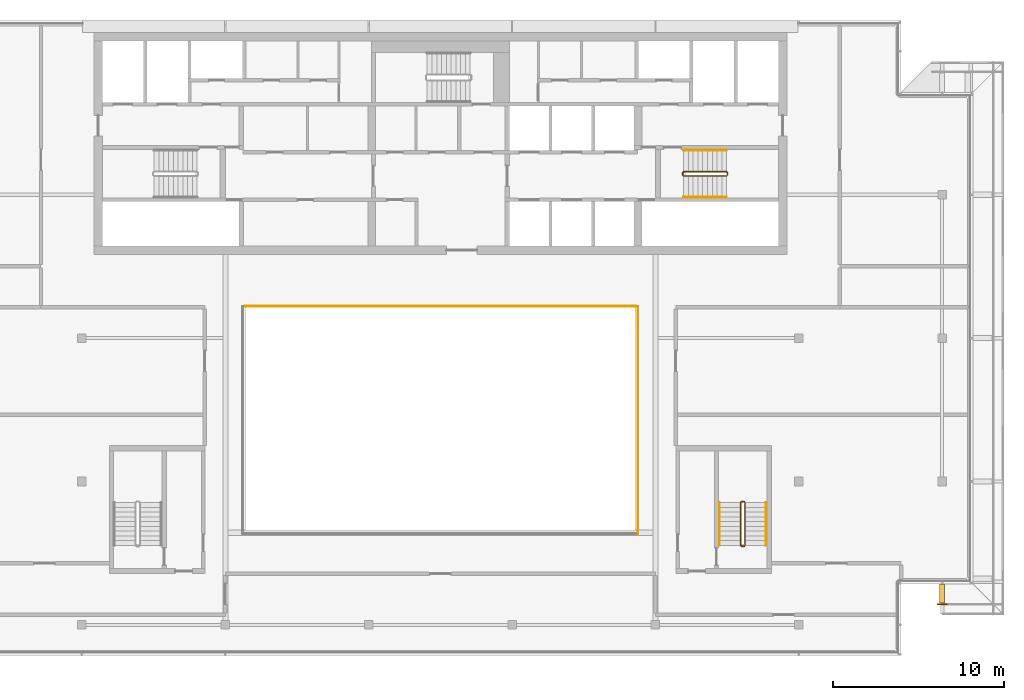
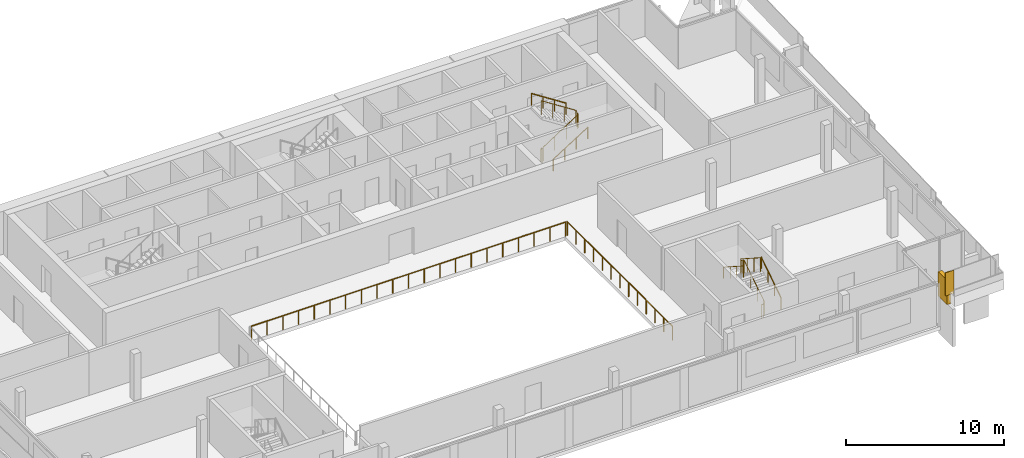
# One storey, part 17 of 20: 9 railings, 1 covering.
"""IFC4 building model written with IfcOpenShell, lengths in metres."""

from ifc_helpers import new_model, si_unit, direction, frame, origin, origin_2d, place, context, subcontext, project, spatial, rectangle, circle, extrude, material, layer, layer_set, type_object, element, save


model = new_model("IFC4")

# Units and contexts
model_context = context("Model", 3, precision=1e-05, world=origin(), true_north=direction((0.0, 1.0)))
body_context = subcontext(model_context, "Body", "Model", "MODEL_VIEW")
ifc_project = project(units=[si_unit("LENGTHUNIT", "METRE"), si_unit("AREAUNIT", "SQUARE_METRE"), si_unit("VOLUMEUNIT", "CUBIC_METRE"), si_unit("PLANEANGLEUNIT", "RADIAN"), si_unit("MASSUNIT", "GRAM", prefix="KILO")], contexts=[model_context])

# Site, building, storey
site_placement = place(None, origin())
site = spatial("IfcSite", under=ifc_project, at=site_placement, CompositionType="ELEMENT")
building_placement = place(site_placement, origin())
building = spatial("IfcBuilding", under=site, at=building_placement, Name="Saffron Gate Tower", CompositionType="ELEMENT")
storey_placement = place(building_placement, frame((0.0, 0.0, 303.14990234375)))
storey = spatial("IfcBuildingStorey", under=building, at=storey_placement, Name="L74", CompositionType="ELEMENT", Elevation=303.14990234375)

# Railings
ifc_material_1 = material(Name="Stainless steel and laminated glass", Category="steel")
railing_type_1 = type_object("IfcRailingType", Name="AG1 Atrium edge guard 1100", PredefinedType="GUARDRAIL", material=ifc_material_1)
railing_1_placement = place(storey_placement, frame((76.139892578125, 58.860107421875, 0.0)))
element("IfcRailing", 1, at=railing_1_placement, inside=storey, type_object=railing_type_1, Name="Guard E6-2", PredefinedType="GUARDRAIL", context=body_context, shape_type="SweptSolid", body=[
    extrude(circle(Radius=0.02392578125, at=origin_2d()), frame((0.0, 0.0, 1.076171875), z_axis=(1.0, 0.0, 0.0), x_axis=(0.0, 1.0, 0.0)), (0.0, 0.0, 1.0), 22.920166015625),
    extrude(circle(Radius=0.02099609375, at=origin_2d()), origin(), (0.0, 0.0, 1.0), 1.052001953125),
    extrude(circle(Radius=0.02099609375, at=origin_2d()), frame((1.14599609375, 0.0, 0.0)), (0.0, 0.0, 1.0), 1.052001953125),
    extrude(circle(Radius=0.02099609375, at=origin_2d()), frame((2.2919921875, 0.0, 0.0)), (0.0, 0.0, 1.0), 1.052001953125),
    extrude(circle(Radius=0.02099609375, at=origin_2d()), frame((3.43798828125, 0.0, 0.0)), (0.0, 0.0, 1.0), 1.052001953125),
    extrude(circle(Radius=0.02099609375, at=origin_2d()), frame((4.583984375, 0.0, 0.0)), (0.0, 0.0, 1.0), 1.052001953125),
    extrude(circle(Radius=0.02099609375, at=origin_2d()), frame((5.72998046875, 0.0, 0.0)), (0.0, 0.0, 1.0), 1.052001953125),
    extrude(circle(Radius=0.02099609375, at=origin_2d()), frame((6.8759765625, 0.0, 0.0)), (0.0, 0.0, 1.0), 1.052001953125),
    extrude(circle(Radius=0.02099609375, at=origin_2d()), frame((8.02197265625, 0.0, 0.0)), (0.0, 0.0, 1.0), 1.052001953125),
    extrude(circle(Radius=0.02099609375, at=origin_2d()), frame((9.16796875, 0.0, 0.0)), (0.0, 0.0, 1.0), 1.052001953125),
    extrude(circle(Radius=0.02099609375, at=origin_2d()), frame((10.31396484375, 0.0, 0.0)), (0.0, 0.0, 1.0), 1.052001953125),
    extrude(circle(Radius=0.02099609375, at=origin_2d()), frame((11.4599609375, 0.0, 0.0)), (0.0, 0.0, 1.0), 1.052001953125),
    extrude(circle(Radius=0.02099609375, at=origin_2d()), frame((12.606201171875, 0.0, 0.0)), (0.0, 0.0, 1.0), 1.052001953125),
    extrude(circle(Radius=0.02099609375, at=origin_2d()), frame((13.752197265625, 0.0, 0.0)), (0.0, 0.0, 1.0), 1.052001953125),
    extrude(circle(Radius=0.02099609375, at=origin_2d()), frame((14.898193359375, 0.0, 0.0)), (0.0, 0.0, 1.0), 1.052001953125),
    extrude(circle(Radius=0.02099609375, at=origin_2d()), frame((16.044189453125, 0.0, 0.0)), (0.0, 0.0, 1.0), 1.052001953125),
    extrude(circle(Radius=0.02099609375, at=origin_2d()), frame((17.190185546875, 0.0, 0.0)), (0.0, 0.0, 1.0), 1.052001953125),
    extrude(circle(Radius=0.02099609375, at=origin_2d()), frame((18.336181640625, 0.0, 0.0)), (0.0, 0.0, 1.0), 1.052001953125),
    extrude(circle(Radius=0.02099609375, at=origin_2d()), frame((19.482177734375, 0.0, 0.0)), (0.0, 0.0, 1.0), 1.052001953125),
    extrude(circle(Radius=0.02099609375, at=origin_2d()), frame((20.628173828125, 0.0, 0.0)), (0.0, 0.0, 1.0), 1.052001953125),
    extrude(circle(Radius=0.02099609375, at=origin_2d()), frame((21.774169921875, 0.0, 0.0)), (0.0, 0.0, 1.0), 1.052001953125),
    extrude(circle(Radius=0.02099609375, at=origin_2d()), frame((22.920166015625, 0.0, 0.0)), (0.0, 0.0, 1.0), 1.052001953125),
])
railing_2_placement = place(storey_placement, frame((99.179931640625, 58.860107421875, 0.0)))
element("IfcRailing", 2, at=railing_2_placement, inside=storey, type_object=railing_type_1, Name="Guard E6-3", PredefinedType="GUARDRAIL", context=body_context, shape_type="SweptSolid", body=[
    extrude(circle(Radius=0.02392578125, at=origin_2d()), frame((0.0, 0.0, 1.076171875), z_axis=(0.0, -1.0, 0.0), x_axis=(1.0, 0.0, 0.0)), (0.0, 0.0, 1.0), 13.320068359375),
    extrude(circle(Radius=0.02099609375, at=origin_2d()), origin(), (0.0, 0.0, 1.0), 1.052001953125),
    extrude(circle(Radius=0.02099609375, at=origin_2d()), frame((0.0, -1.110107421875, 0.0)), (0.0, 0.0, 1.0), 1.052001953125),
    extrude(circle(Radius=0.02099609375, at=origin_2d()), frame((0.0, -2.219970703125, 0.0)), (0.0, 0.0, 1.0), 1.052001953125),
    extrude(circle(Radius=0.02099609375, at=origin_2d()), frame((0.0, -3.330078125, 0.0)), (0.0, 0.0, 1.0), 1.052001953125),
    extrude(circle(Radius=0.02099609375, at=origin_2d()), frame((0.0, -4.43994140625, 0.0)), (0.0, 0.0, 1.0), 1.052001953125),
    extrude(circle(Radius=0.02099609375, at=origin_2d()), frame((0.0, -5.550048828125, 0.0)), (0.0, 0.0, 1.0), 1.052001953125),
    extrude(circle(Radius=0.02099609375, at=origin_2d()), frame((0.0, -6.66015625, 0.0)), (0.0, 0.0, 1.0), 1.052001953125),
    extrude(circle(Radius=0.02099609375, at=origin_2d()), frame((0.0, -7.77001953125, 0.0)), (0.0, 0.0, 1.0), 1.052001953125),
    extrude(circle(Radius=0.02099609375, at=origin_2d()), frame((0.0, -8.880126953125, 0.0)), (0.0, 0.0, 1.0), 1.052001953125),
    extrude(circle(Radius=0.02099609375, at=origin_2d()), frame((0.0, -9.989990234375, 0.0)), (0.0, 0.0, 1.0), 1.052001953125),
    extrude(circle(Radius=0.02099609375, at=origin_2d()), frame((0.0, -11.10009765625, 0.0)), (0.0, 0.0, 1.0), 1.052001953125),
    extrude(circle(Radius=0.02099609375, at=origin_2d()), frame((0.0, -12.2099609375, 0.0)), (0.0, 0.0, 1.0), 1.052001953125),
    extrude(circle(Radius=0.02099609375, at=origin_2d()), frame((0.0, -13.320068359375, 0.0)), (0.0, 0.0, 1.0), 1.052001953125),
])
railing_type_2 = type_object("IfcRailingType", Name="CR1 Stair guard 1100", PredefinedType="GUARDRAIL", material=ifc_material_1)
railing_3_placement = place(storey_placement, frame((101.800048828125, 66.699951171875, 0.0)))
element("IfcRailing", 3, at=railing_3_placement, inside=storey, type_object=railing_type_2, Name="L74 ST-B stair guard 1", PredefinedType="GUARDRAIL", context=body_context, shape_type="SweptSolid", body=[
    extrude(circle(Radius=0.02392578125, at=origin_2d()), frame((0.0, 0.0, 1.076171875), z_axis=(0.0, -1.0, 0.0), x_axis=(1.0, 0.0, 0.0)), (0.0, 0.0, 1.0), 0.14990234375),
    extrude(circle(Radius=0.02392578125, at=origin_2d()), frame((0.0, -0.14990234375, 1.076171875), z_axis=(0.258543844998, -0.258543844998, 0.930757841991), x_axis=(0.707106781187, 0.707106781187, 0.0)), (0.0, 0.0, 1.0), 0.193603515625),
    extrude(circle(Radius=0.02392578125, at=origin_2d()), frame((0.050048828125, -0.199951171875, 1.25634765625), z_axis=(0.841199657755, 0.0, 0.540724639528), x_axis=(0.0, 1.0, 0.0)), (0.0, 0.0, 1.0), 2.995849609375),
    extrude(circle(Radius=0.02392578125, at=origin_2d()), frame((2.570068359375, -0.199951171875, 2.8759765625), z_axis=(0.705375805398, 0.708833529934, 0.0), x_axis=(-0.708833529934, 0.705375805398, 0.0)), (0.0, 0.0, 1.0), 0.070556640625),
    extrude(circle(Radius=0.02392578125, at=origin_2d()), frame((2.619873046875, -0.14990234375, 2.8759765625), z_axis=(0.0, 1.0, 0.0), x_axis=(-1.0, 0.0, 0.0)), (0.0, 0.0, 1.0), 0.14990234375),
    extrude(circle(Radius=0.02392578125, at=origin_2d()), frame((2.619873046875, 0.0, 2.8759765625), z_axis=(-0.257669022063, 0.258932105505, 0.930892496375), x_axis=(-0.708833529934, -0.705375805398, 0.0)), (0.0, 0.0, 1.0), 0.193359375),
    extrude(circle(Radius=0.02392578125, at=origin_2d()), frame((2.570068359375, 0.050048828125, 3.05615234375), z_axis=(-0.841162588446, 0.0, 0.540782303519), x_axis=(0.0, -1.0, 0.0)), (0.0, 0.0, 1.0), 2.995849609375),
    extrude(circle(Radius=0.02099609375, at=origin_2d()), origin(), (0.0, 0.0, 1.0), 1.052001953125),
    extrude(circle(Radius=0.02099609375, at=origin_2d()), frame((0.0, -0.14990234375, 0.0)), (0.0, 0.0, 1.0), 1.052001953125),
    extrude(circle(Radius=0.02099609375, at=origin_2d()), frame((0.050048828125, -0.199951171875, 0.18017578125)), (0.0, 0.0, 1.0), 1.052001953125),
    extrude(circle(Radius=0.02099609375, at=origin_2d()), frame((0.89013671875, -0.199951171875, 0.72021484375)), (0.0, 0.0, 1.0), 1.052001953125),
    extrude(circle(Radius=0.02099609375, at=origin_2d()), frame((1.72998046875, -0.199951171875, 1.260009765625)), (0.0, 0.0, 1.0), 1.052001953125),
    extrude(circle(Radius=0.02099609375, at=origin_2d()), frame((2.570068359375, -0.199951171875, 1.800048828125)), (0.0, 0.0, 1.0), 1.052001953125),
    extrude(circle(Radius=0.02099609375, at=origin_2d()), frame((2.619873046875, -0.14990234375, 1.800048828125)), (0.0, 0.0, 1.0), 1.052001953125),
    extrude(circle(Radius=0.02099609375, at=origin_2d()), frame((2.619873046875, 0.0, 1.800048828125)), (0.0, 0.0, 1.0), 1.052001953125),
    extrude(circle(Radius=0.02099609375, at=origin_2d()), frame((2.570068359375, 0.050048828125, 1.97998046875)), (0.0, 0.0, 1.0), 1.052001953125),
    extrude(circle(Radius=0.02099609375, at=origin_2d()), frame((1.72998046875, 0.050048828125, 2.52001953125)), (0.0, 0.0, 1.0), 1.052001953125),
    extrude(circle(Radius=0.02099609375, at=origin_2d()), frame((0.89013671875, 0.050048828125, 3.06005859375)), (0.0, 0.0, 1.0), 1.052001953125),
    extrude(circle(Radius=0.02099609375, at=origin_2d()), frame((0.050048828125, 0.050048828125, 3.60009765625)), (0.0, 0.0, 1.0), 1.052001953125),
])
railing_4_placement = place(storey_placement, frame((105.25, 44.800048828125, 0.0)))
element("IfcRailing", 4, at=railing_4_placement, inside=storey, type_object=railing_type_2, Name="L74 ST-E stair guard 1", PredefinedType="GUARDRAIL", context=body_context, shape_type="SweptSolid", body=[
    extrude(circle(Radius=0.02392578125, at=origin_2d()), frame((0.0, 0.0, 1.076171875), z_axis=(1.0, 0.0, 0.0), x_axis=(0.0, 1.0, 0.0)), (0.0, 0.0, 1.0), 0.14990234375),
    extrude(circle(Radius=0.02392578125, at=origin_2d()), frame((0.14990234375, 0.0, 1.076171875), z_axis=(0.258543844998, 0.258543844998, 0.930757841991), x_axis=(-0.707106781187, 0.707106781187, 0.0)), (0.0, 0.0, 1.0), 0.193603515625),
    extrude(circle(Radius=0.02392578125, at=origin_2d()), frame((0.199951171875, 0.050048828125, 1.25634765625), z_axis=(0.0, 0.841199657755, 0.540724639528), x_axis=(-1.0, 0.0, 0.0)), (0.0, 0.0, 1.0), 2.995849609375),
    extrude(circle(Radius=0.02392578125, at=origin_2d()), frame((0.199951171875, 2.570068359375, 2.8759765625), z_axis=(-0.708833529934, 0.705375805398, 0.0), x_axis=(-0.705375805398, -0.708833529934, 0.0)), (0.0, 0.0, 1.0), 0.070556640625),
    extrude(circle(Radius=0.02392578125, at=origin_2d()), frame((0.14990234375, 2.619873046875, 2.8759765625), z_axis=(-1.0, 0.0, 0.0), x_axis=(0.0, -1.0, 0.0)), (0.0, 0.0, 1.0), 0.14990234375),
    extrude(circle(Radius=0.02392578125, at=origin_2d()), frame((0.0, 2.619873046875, 2.8759765625), z_axis=(-0.258932105505, -0.257669022063, 0.930892496375), x_axis=(0.705375805398, -0.708833529934, 0.0)), (0.0, 0.0, 1.0), 0.193359375),
    extrude(circle(Radius=0.02392578125, at=origin_2d()), frame((-0.050048828125, 2.570068359375, 3.05615234375), z_axis=(0.0, -0.841162588446, 0.540782303519), x_axis=(1.0, 0.0, 0.0)), (0.0, 0.0, 1.0), 2.995849609375),
    extrude(circle(Radius=0.02099609375, at=origin_2d()), origin(), (0.0, 0.0, 1.0), 1.052001953125),
    extrude(circle(Radius=0.02099609375, at=origin_2d()), frame((0.14990234375, 0.0, 0.0)), (0.0, 0.0, 1.0), 1.052001953125),
    extrude(circle(Radius=0.02099609375, at=origin_2d()), frame((0.199951171875, 0.050048828125, 0.18017578125)), (0.0, 0.0, 1.0), 1.052001953125),
    extrude(circle(Radius=0.02099609375, at=origin_2d()), frame((0.199951171875, 0.89013671875, 0.72021484375)), (0.0, 0.0, 1.0), 1.052001953125),
    extrude(circle(Radius=0.02099609375, at=origin_2d()), frame((0.199951171875, 1.72998046875, 1.260009765625)), (0.0, 0.0, 1.0), 1.052001953125),
    extrude(circle(Radius=0.02099609375, at=origin_2d()), frame((0.199951171875, 2.570068359375, 1.800048828125)), (0.0, 0.0, 1.0), 1.052001953125),
    extrude(circle(Radius=0.02099609375, at=origin_2d()), frame((0.14990234375, 2.619873046875, 1.800048828125)), (0.0, 0.0, 1.0), 1.052001953125),
    extrude(circle(Radius=0.02099609375, at=origin_2d()), frame((0.0, 2.619873046875, 1.800048828125)), (0.0, 0.0, 1.0), 1.052001953125),
    extrude(circle(Radius=0.02099609375, at=origin_2d()), frame((-0.050048828125, 2.570068359375, 1.97998046875)), (0.0, 0.0, 1.0), 1.052001953125),
    extrude(circle(Radius=0.02099609375, at=origin_2d()), frame((-0.050048828125, 1.72998046875, 2.52001953125)), (0.0, 0.0, 1.0), 1.052001953125),
    extrude(circle(Radius=0.02099609375, at=origin_2d()), frame((-0.050048828125, 0.89013671875, 3.06005859375)), (0.0, 0.0, 1.0), 1.052001953125),
    extrude(circle(Radius=0.02099609375, at=origin_2d()), frame((-0.050048828125, 0.050048828125, 3.60009765625)), (0.0, 0.0, 1.0), 1.052001953125),
])
ifc_material_2 = material(Name="Stainless steel", Category="steel")
railing_type_3 = type_object("IfcRailingType", Name="CR2 Stair handrail 900", PredefinedType="HANDRAIL", material=ifc_material_2)
railing_5_placement = place(storey_placement, frame((101.85009765625, 65.25, 0.18017578125)))
element("IfcRailing", 5, at=railing_5_placement, inside=storey, type_object=railing_type_3, Name="L74 ST-B stair handrail 1", PredefinedType="HANDRAIL", context=body_context, shape_type="SweptSolid", body=[
    extrude(circle(Radius=0.02392578125, at=origin_2d()), frame((0.0, 0.0, 0.8759765625), z_axis=(0.841199657755, 0.0, 0.540724639528), x_axis=(0.0, 1.0, 0.0)), (0.0, 0.0, 1.0), 2.995849609375),
    extrude(circle(Radius=0.02099609375, at=origin_2d()), origin(), (0.0, 0.0, 1.0), 0.851806640625),
    extrude(circle(Radius=0.02099609375, at=origin_2d()), frame((0.840087890625, 0.0, 0.5400390625)), (0.0, 0.0, 1.0), 0.851806640625),
    extrude(circle(Radius=0.02099609375, at=origin_2d()), frame((1.679931640625, 0.0, 1.079833984375)), (0.0, 0.0, 1.0), 0.851806640625),
    extrude(circle(Radius=0.02099609375, at=origin_2d()), frame((2.52001953125, 0.0, 1.619873046875)), (0.0, 0.0, 1.0), 0.851806640625),
])
railing_6_placement = place(storey_placement, frame((104.3701171875, 68.0, 1.97998046875)))
element("IfcRailing", 6, at=railing_6_placement, inside=storey, type_object=railing_type_3, Name="L74 ST-B stair handrail 2", PredefinedType="HANDRAIL", context=body_context, shape_type="SweptSolid", body=[
    extrude(circle(Radius=0.02392578125, at=origin_2d()), frame((0.0, 0.0, 0.8759765625), z_axis=(-0.841162588446, 0.0, 0.540782303519), x_axis=(0.0, -1.0, 0.0)), (0.0, 0.0, 1.0), 2.995849609375),
    extrude(circle(Radius=0.02099609375, at=origin_2d()), origin(), (0.0, 0.0, 1.0), 0.851806640625),
    extrude(circle(Radius=0.02099609375, at=origin_2d()), frame((-0.840087890625, 0.0, 0.5400390625)), (0.0, 0.0, 1.0), 0.851806640625),
    extrude(circle(Radius=0.02099609375, at=origin_2d()), frame((-1.679931640625, 0.0, 1.080078125)), (0.0, 0.0, 1.0), 0.851806640625),
    extrude(circle(Radius=0.02099609375, at=origin_2d()), frame((-2.52001953125, 0.0, 1.6201171875)), (0.0, 0.0, 1.0), 0.851806640625),
])
railing_7_placement = place(storey_placement, frame((106.699951171875, 44.85009765625, 0.18017578125)))
element("IfcRailing", 7, at=railing_7_placement, inside=storey, type_object=railing_type_3, Name="L74 ST-E stair handrail 1", PredefinedType="HANDRAIL", context=body_context, shape_type="SweptSolid", body=[
    extrude(circle(Radius=0.02392578125, at=origin_2d()), frame((0.0, 0.0, 0.8759765625), z_axis=(0.0, 0.841199657755, 0.540724639528), x_axis=(-1.0, 0.0, 0.0)), (0.0, 0.0, 1.0), 2.995849609375),
    extrude(circle(Radius=0.02099609375, at=origin_2d()), origin(), (0.0, 0.0, 1.0), 0.851806640625),
    extrude(circle(Radius=0.02099609375, at=origin_2d()), frame((0.0, 0.840087890625, 0.5400390625)), (0.0, 0.0, 1.0), 0.851806640625),
    extrude(circle(Radius=0.02099609375, at=origin_2d()), frame((0.0, 1.679931640625, 1.079833984375)), (0.0, 0.0, 1.0), 0.851806640625),
    extrude(circle(Radius=0.02099609375, at=origin_2d()), frame((0.0, 2.52001953125, 1.619873046875)), (0.0, 0.0, 1.0), 0.851806640625),
])
railing_8_placement = place(storey_placement, frame((103.949951171875, 47.3701171875, 1.97998046875)))
element("IfcRailing", 8, at=railing_8_placement, inside=storey, type_object=railing_type_3, Name="L74 ST-E stair handrail 2", PredefinedType="HANDRAIL", context=body_context, shape_type="SweptSolid", body=[
    extrude(circle(Radius=0.02392578125, at=origin_2d()), frame((0.0, 0.0, 0.8759765625), z_axis=(0.0, -0.841162588446, 0.540782303519), x_axis=(1.0, 0.0, 0.0)), (0.0, 0.0, 1.0), 2.995849609375),
    extrude(circle(Radius=0.02099609375, at=origin_2d()), origin(), (0.0, 0.0, 1.0), 0.851806640625),
    extrude(circle(Radius=0.02099609375, at=origin_2d()), frame((0.0, -0.840087890625, 0.5400390625)), (0.0, 0.0, 1.0), 0.851806640625),
    extrude(circle(Radius=0.02099609375, at=origin_2d()), frame((0.0, -1.679931640625, 1.080078125)), (0.0, 0.0, 1.0), 0.851806640625),
    extrude(circle(Radius=0.02099609375, at=origin_2d()), frame((0.0, -2.52001953125, 1.6201171875)), (0.0, 0.0, 1.0), 0.851806640625),
])

# Covering
ifc_material_3 = material(Name="Timber, thermally modified ash", Category="wood")
ifc_layer = layer(ifc_material_3, 0.300048828125)
ifc_layer_set = layer_set([ifc_layer], Name="LD3 ledge riser fin")
covering_type = type_object("IfcCoveringType", Name="LD3 ledge riser fin", PredefinedType="CLADDING", material=ifc_layer_set)
covering_placement = place(storey_placement, frame((117.0, 42.0400390625, -0.99072265625), z_axis=(0.0, 0.0, 1.0), x_axis=(1.0, 0.0, 0.0)))
element("IfcCovering", 9, at=covering_placement, inside=storey, type_object=covering_type, Name="LEDGE riser fin", PredefinedType="CLADDING", context=body_context, shape_type="SweptSolid", body=[
    extrude(rectangle(XDim=0.300048828125, YDim=1.1201171875, at=origin_2d()), origin(), (0.0, 0.0, 1.0), 1.886962890625),
])

# Railing
railing_type_4 = type_object("IfcRailingType", Name="LG1 ledge balustrade", PredefinedType="BALUSTRADE", material=ifc_material_3)
railing_9_placement = place(storey_placement, frame((116.699951171875, 41.39990234375, -0.19091796875)))
element("IfcRailing", 10, at=railing_9_placement, inside=storey, type_object=railing_type_4, Name="LEDGE BALUSTRADE", PredefinedType="BALUSTRADE", context=body_context, shape_type="SweptSolid", body=[
    extrude(rectangle(XDim=0.06005859375, YDim=1.787109375, at=origin_2d()), frame((0.0, 0.0, 0.8935546875), z_axis=(1.0, 0.0, 0.0), x_axis=(0.0, 1.0, 0.0)), (0.0, 0.0, 1.0), 0.60009765625),
])

save(model, "model.ifc")
